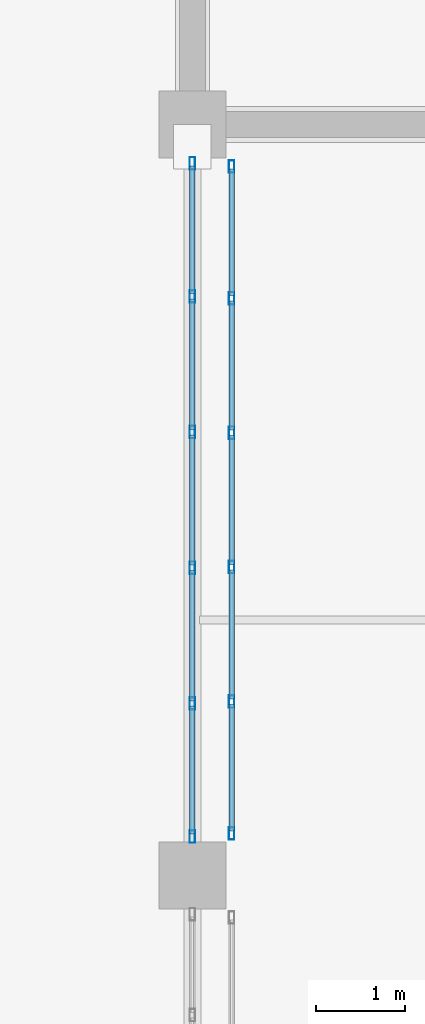
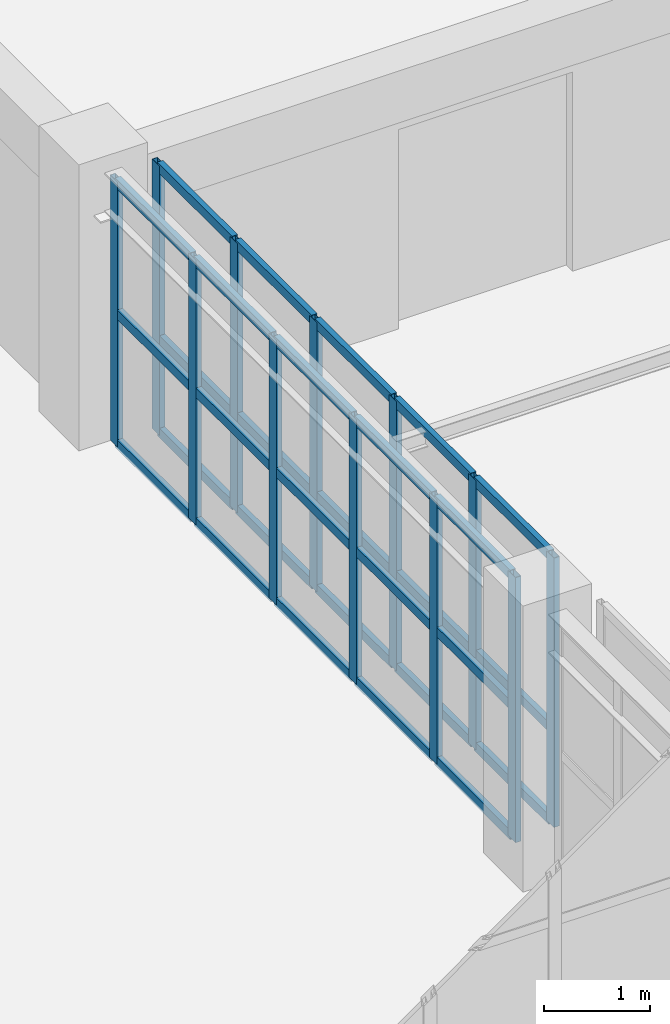
# One storey, part 61 of 200: 42 members, 2 elements without a shape of their own.
"""IFC4 building model written with IfcOpenShell, lengths in metres."""

from ifc_helpers import new_model, si_unit, direction, frame, origin, origin_2d, place, context, subcontext, project, spatial, hollow_rectangle, extrude, material, layer, layer_set, material_profile, profile_set, type_object, element, aggregate, save


model = new_model("IFC4")

# Units and contexts
model_context = context("Model", 3, precision=1e-05, world=origin(), true_north=direction((0.0, 1.0)))
body_context = subcontext(model_context, "Body", "Model", "MODEL_VIEW")
ifc_project = project(units=[si_unit("LENGTHUNIT", "METRE"), si_unit("AREAUNIT", "SQUARE_METRE"), si_unit("VOLUMEUNIT", "CUBIC_METRE"), si_unit("PLANEANGLEUNIT", "RADIAN"), si_unit("MASSUNIT", "GRAM", prefix="KILO")], contexts=[model_context])

# Site, building, storey
site_placement = place(None, origin())
site = spatial("IfcSite", under=ifc_project, at=site_placement, CompositionType="ELEMENT")
building_placement = place(site_placement, origin())
building = spatial("IfcBuilding", under=site, at=building_placement, Name="Trelvath General Hospital", CompositionType="ELEMENT")
storey_placement = place(building_placement, frame((0.0, 0.0, 4.800048828125)))
storey = spatial("IfcBuildingStorey", under=building, at=storey_placement, Name="L01", CompositionType="ELEMENT", Elevation=4.800048828125)

# Curtain wall, members
ifc_material_1 = material(Name="Anodised aluminium and low-E glass", Category="aluminium")
ifc_layer_1 = layer(ifc_material_1, 0.14990234375)
ifc_layer_set_1 = layer_set([ifc_layer_1], Name="Anodised aluminium and low-E glass")
curtain_wall_type_1 = type_object("IfcCurtainWallType", Name="CW CrystalCube 759 306 15", PredefinedType="USERDEFINED", material=ifc_layer_set_1)
curtain_wall_1_placement = place(storey_placement, origin())
curtain_wall_1 = element("IfcCurtainWall", 1, at=curtain_wall_1_placement, inside=storey, type_object=curtain_wall_type_1, Name="Crystal Cube Curtain Wall CUBE-W-T0 E2 L01", ObjectType="Unitised Glazed Curtain Wall", PredefinedType="USERDEFINED")
ifc_material_2 = material(Name="Anodised aluminium", Category="aluminium")
ifc_material_profile_1 = material_profile(ifc_material_2, hollow_rectangle(XDim=0.06005859375, YDim=0.139892578125, WallThickness=0.00390625, at=origin_2d()), Name="RHS60x140x4")
ifc_profile_set_1 = profile_set([ifc_material_profile_1], Name="Anodised aluminium")
member_type_1 = type_object("IfcMemberType", Name="CurtainMullion 60x140", PredefinedType="MULLION", material=ifc_profile_set_1)
member_1_placement = place(storey_placement, frame((75.60009765625, 41.56494140625, 0.0), z_axis=(0.0, 0.0, 1.0), x_axis=(1.0, 0.0, 0.0)))
member_1 = element("IfcMember", 2, at=member_1_placement, type_object=member_type_1, Name="CW-141 mullion 1", PredefinedType="MULLION", context=body_context, shape_type="SweptSolid", body=[
    extrude(hollow_rectangle(XDim=0.06005859375, YDim=0.139892578125, WallThickness=0.00390625, at=origin_2d()), origin(), (0.0, 0.0, 1.0), 3.06005859375),
])
member_2_placement = place(storey_placement, frame((75.60009765625, 40.076904296875, 0.0), z_axis=(0.0, 0.0, 1.0), x_axis=(1.0, 0.0, 0.0)))
member_2 = element("IfcMember", 3, at=member_2_placement, type_object=member_type_1, Name="CW-141 mullion 2", PredefinedType="MULLION", context=body_context, shape_type="SweptSolid", body=[
    extrude(hollow_rectangle(XDim=0.06005859375, YDim=0.139892578125, WallThickness=0.00390625, at=origin_2d()), origin(), (0.0, 0.0, 1.0), 3.06005859375),
])
member_3_placement = place(storey_placement, frame((75.60009765625, 38.55908203125, 0.0), z_axis=(0.0, 0.0, 1.0), x_axis=(1.0, 0.0, 0.0)))
member_3 = element("IfcMember", 4, at=member_3_placement, type_object=member_type_1, Name="CW-141 mullion 3", PredefinedType="MULLION", context=body_context, shape_type="SweptSolid", body=[
    extrude(hollow_rectangle(XDim=0.06005859375, YDim=0.139892578125, WallThickness=0.00390625, at=origin_2d()), origin(), (0.0, 0.0, 1.0), 3.06005859375),
])
member_4_placement = place(storey_placement, frame((75.60009765625, 37.041015625, 0.0), z_axis=(0.0, 0.0, 1.0), x_axis=(1.0, 0.0, 0.0)))
member_4 = element("IfcMember", 5, at=member_4_placement, type_object=member_type_1, Name="CW-141 mullion 4", PredefinedType="MULLION", context=body_context, shape_type="SweptSolid", body=[
    extrude(hollow_rectangle(XDim=0.06005859375, YDim=0.139892578125, WallThickness=0.00390625, at=origin_2d()), origin(), (0.0, 0.0, 1.0), 3.06005859375),
])
member_5_placement = place(storey_placement, frame((75.60009765625, 35.52294921875, 0.0), z_axis=(0.0, 0.0, 1.0), x_axis=(1.0, 0.0, 0.0)))
member_5 = element("IfcMember", 6, at=member_5_placement, type_object=member_type_1, Name="CW-141 mullion 5", PredefinedType="MULLION", context=body_context, shape_type="SweptSolid", body=[
    extrude(hollow_rectangle(XDim=0.06005859375, YDim=0.139892578125, WallThickness=0.00390625, at=origin_2d()), origin(), (0.0, 0.0, 1.0), 3.06005859375),
])
member_6_placement = place(storey_placement, frame((75.60009765625, 34.034912109375, 0.0), z_axis=(0.0, 0.0, 1.0), x_axis=(1.0, 0.0, 0.0)))
member_6 = element("IfcMember", 7, at=member_6_placement, type_object=member_type_1, Name="CW-141 mullion 6", PredefinedType="MULLION", context=body_context, shape_type="SweptSolid", body=[
    extrude(hollow_rectangle(XDim=0.06005859375, YDim=0.139892578125, WallThickness=0.00390625, at=origin_2d()), origin(), (0.0, 0.0, 1.0), 3.06005859375),
])

ifc_material_3 = material(Name="Anodised aluminium and low-E glass", Category="aluminium")
ifc_layer_2 = layer(ifc_material_3, 0.139892578125)
ifc_layer_set_2 = layer_set([ifc_layer_2], Name="Anodised aluminium and low-E glass")
curtain_wall_type_2 = type_object("IfcCurtainWallType", Name="CW Bridge 752 311", PredefinedType="USERDEFINED", material=ifc_layer_set_2)
curtain_wall_2_placement = place(storey_placement, origin())
curtain_wall_2 = element("IfcCurtainWall", 8, at=curtain_wall_2_placement, inside=storey, type_object=curtain_wall_type_2, Name="Glazed Bridge Curtain Wall BRG-S-C W L01", ObjectType="Unitised Glazed Curtain Wall", PredefinedType="USERDEFINED")
member_7_placement = place(storey_placement, frame((76.0400390625, 34.070068359375, 0.0), z_axis=(0.0, 0.0, 1.0), x_axis=(-1.0, 0.0, 0.0)))
member_7 = element("IfcMember", 9, at=member_7_placement, type_object=member_type_1, Name="CW-180 mullion 1", PredefinedType="MULLION", context=body_context, shape_type="SweptSolid", body=[
    extrude(hollow_rectangle(XDim=0.06005859375, YDim=0.139892578125, WallThickness=0.00390625, at=origin_2d()), origin(), (0.0, 0.0, 1.0), 3.10986328125),
])
member_8_placement = place(storey_placement, frame((76.0400390625, 35.5439453125, 0.0), z_axis=(0.0, 0.0, 1.0), x_axis=(-1.0, 0.0, 0.0)))
member_8 = element("IfcMember", 10, at=member_8_placement, type_object=member_type_1, Name="CW-180 mullion 2", PredefinedType="MULLION", context=body_context, shape_type="SweptSolid", body=[
    extrude(hollow_rectangle(XDim=0.06005859375, YDim=0.139892578125, WallThickness=0.00390625, at=origin_2d()), origin(), (0.0, 0.0, 1.0), 3.10986328125),
])
member_9_placement = place(storey_placement, frame((76.0400390625, 37.048095703125, 0.0), z_axis=(0.0, 0.0, 1.0), x_axis=(-1.0, 0.0, 0.0)))
member_9 = element("IfcMember", 11, at=member_9_placement, type_object=member_type_1, Name="CW-180 mullion 3", PredefinedType="MULLION", context=body_context, shape_type="SweptSolid", body=[
    extrude(hollow_rectangle(XDim=0.06005859375, YDim=0.139892578125, WallThickness=0.00390625, at=origin_2d()), origin(), (0.0, 0.0, 1.0), 3.10986328125),
])
member_10_placement = place(storey_placement, frame((76.0400390625, 38.552001953125, 0.0), z_axis=(0.0, 0.0, 1.0), x_axis=(-1.0, 0.0, 0.0)))
member_10 = element("IfcMember", 12, at=member_10_placement, type_object=member_type_1, Name="CW-180 mullion 4", PredefinedType="MULLION", context=body_context, shape_type="SweptSolid", body=[
    extrude(hollow_rectangle(XDim=0.06005859375, YDim=0.139892578125, WallThickness=0.00390625, at=origin_2d()), origin(), (0.0, 0.0, 1.0), 3.10986328125),
])
member_11_placement = place(storey_placement, frame((76.0400390625, 40.055908203125, 0.0), z_axis=(0.0, 0.0, 1.0), x_axis=(-1.0, 0.0, 0.0)))
member_11 = element("IfcMember", 13, at=member_11_placement, type_object=member_type_1, Name="CW-180 mullion 5", PredefinedType="MULLION", context=body_context, shape_type="SweptSolid", body=[
    extrude(hollow_rectangle(XDim=0.06005859375, YDim=0.139892578125, WallThickness=0.00390625, at=origin_2d()), origin(), (0.0, 0.0, 1.0), 3.10986328125),
])
member_12_placement = place(storey_placement, frame((76.0400390625, 41.530029296875, 0.0), z_axis=(0.0, 0.0, 1.0), x_axis=(-1.0, 0.0, 0.0)))
member_12 = element("IfcMember", 14, at=member_12_placement, type_object=member_type_1, Name="CW-180 mullion 6", PredefinedType="MULLION", context=body_context, shape_type="SweptSolid", body=[
    extrude(hollow_rectangle(XDim=0.06005859375, YDim=0.139892578125, WallThickness=0.00390625, at=origin_2d()), origin(), (0.0, 0.0, 1.0), 3.10986328125),
])

# Member
ifc_material_4 = material(Name="Anodised aluminium", Category="aluminium")
ifc_material_profile_2 = material_profile(ifc_material_4, hollow_rectangle(XDim=0.06005859375, YDim=0.110107421875, WallThickness=0.00390625, at=origin_2d()), Name="RHS60x110x4")
ifc_profile_set_2 = profile_set([ifc_material_profile_2], Name="Anodised aluminium")
member_type_2 = type_object("IfcMemberType", Name="CurtainTransom 60x110", PredefinedType="USERDEFINED", material=ifc_profile_set_2)
member_13_placement = place(storey_placement, frame((75.60009765625, 41.534912109375, 0.030029296875), z_axis=(0.0, -1.0, 0.0), x_axis=(1.0, 0.0, 0.0)))
member_13 = element("IfcMember", 15, at=member_13_placement, type_object=member_type_2, Name="CW-141 transom 1.1", ObjectType="TRANSOM", PredefinedType="USERDEFINED", context=body_context, shape_type="SweptSolid", body=[
    extrude(hollow_rectangle(XDim=0.06005859375, YDim=0.110107421875, WallThickness=0.00390625, at=origin_2d()), origin(), (0.0, 0.0, 1.0), 1.427978515625),
])

member_14_placement = place(storey_placement, frame((75.60009765625, 41.534912109375, 1.530029296875), z_axis=(0.0, -1.0, 0.0), x_axis=(1.0, 0.0, 0.0)))
member_14 = element("IfcMember", 16, at=member_14_placement, type_object=member_type_2, Name="CW-141 transom 1.2", ObjectType="TRANSOM", PredefinedType="USERDEFINED", context=body_context, shape_type="SweptSolid", body=[
    extrude(hollow_rectangle(XDim=0.06005859375, YDim=0.110107421875, WallThickness=0.00390625, at=origin_2d()), origin(), (0.0, 0.0, 1.0), 1.427978515625),
])

member_15_placement = place(storey_placement, frame((75.60009765625, 41.534912109375, 3.030029296875), z_axis=(0.0, -1.0, 0.0), x_axis=(1.0, 0.0, 0.0)))
member_15 = element("IfcMember", 17, at=member_15_placement, type_object=member_type_2, Name="CW-141 transom 1.3", ObjectType="TRANSOM", PredefinedType="USERDEFINED", context=body_context, shape_type="SweptSolid", body=[
    extrude(hollow_rectangle(XDim=0.06005859375, YDim=0.110107421875, WallThickness=0.00390625, at=origin_2d()), origin(), (0.0, 0.0, 1.0), 1.427978515625),
])

member_16_placement = place(storey_placement, frame((75.60009765625, 40.047119140625, 0.030029296875), z_axis=(0.0, -1.0, 0.0), x_axis=(1.0, 0.0, 0.0)))
member_16 = element("IfcMember", 18, at=member_16_placement, type_object=member_type_2, Name="CW-141 transom 2.1", ObjectType="TRANSOM", PredefinedType="USERDEFINED", context=body_context, shape_type="SweptSolid", body=[
    extrude(hollow_rectangle(XDim=0.06005859375, YDim=0.110107421875, WallThickness=0.00390625, at=origin_2d()), origin(), (0.0, 0.0, 1.0), 1.4580078125),
])

member_17_placement = place(storey_placement, frame((75.60009765625, 40.047119140625, 1.530029296875), z_axis=(0.0, -1.0, 0.0), x_axis=(1.0, 0.0, 0.0)))
member_17 = element("IfcMember", 19, at=member_17_placement, type_object=member_type_2, Name="CW-141 transom 2.2", ObjectType="TRANSOM", PredefinedType="USERDEFINED", context=body_context, shape_type="SweptSolid", body=[
    extrude(hollow_rectangle(XDim=0.06005859375, YDim=0.110107421875, WallThickness=0.00390625, at=origin_2d()), origin(), (0.0, 0.0, 1.0), 1.4580078125),
])

member_18_placement = place(storey_placement, frame((75.60009765625, 40.047119140625, 3.030029296875), z_axis=(0.0, -1.0, 0.0), x_axis=(1.0, 0.0, 0.0)))
member_18 = element("IfcMember", 20, at=member_18_placement, type_object=member_type_2, Name="CW-141 transom 2.3", ObjectType="TRANSOM", PredefinedType="USERDEFINED", context=body_context, shape_type="SweptSolid", body=[
    extrude(hollow_rectangle(XDim=0.06005859375, YDim=0.110107421875, WallThickness=0.00390625, at=origin_2d()), origin(), (0.0, 0.0, 1.0), 1.4580078125),
])

member_19_placement = place(storey_placement, frame((75.60009765625, 38.529052734375, 0.030029296875), z_axis=(0.0, -1.0, 0.0), x_axis=(1.0, 0.0, 0.0)))
member_19 = element("IfcMember", 21, at=member_19_placement, type_object=member_type_2, Name="CW-141 transom 3.1", ObjectType="TRANSOM", PredefinedType="USERDEFINED", context=body_context, shape_type="SweptSolid", body=[
    extrude(hollow_rectangle(XDim=0.06005859375, YDim=0.110107421875, WallThickness=0.00390625, at=origin_2d()), origin(), (0.0, 0.0, 1.0), 1.4580078125),
])

member_20_placement = place(storey_placement, frame((75.60009765625, 38.529052734375, 1.530029296875), z_axis=(0.0, -1.0, 0.0), x_axis=(1.0, 0.0, 0.0)))
member_20 = element("IfcMember", 22, at=member_20_placement, type_object=member_type_2, Name="CW-141 transom 3.2", ObjectType="TRANSOM", PredefinedType="USERDEFINED", context=body_context, shape_type="SweptSolid", body=[
    extrude(hollow_rectangle(XDim=0.06005859375, YDim=0.110107421875, WallThickness=0.00390625, at=origin_2d()), origin(), (0.0, 0.0, 1.0), 1.4580078125),
])

member_21_placement = place(storey_placement, frame((75.60009765625, 38.529052734375, 3.030029296875), z_axis=(0.0, -1.0, 0.0), x_axis=(1.0, 0.0, 0.0)))
member_21 = element("IfcMember", 23, at=member_21_placement, type_object=member_type_2, Name="CW-141 transom 3.3", ObjectType="TRANSOM", PredefinedType="USERDEFINED", context=body_context, shape_type="SweptSolid", body=[
    extrude(hollow_rectangle(XDim=0.06005859375, YDim=0.110107421875, WallThickness=0.00390625, at=origin_2d()), origin(), (0.0, 0.0, 1.0), 1.4580078125),
])

member_22_placement = place(storey_placement, frame((75.60009765625, 37.010986328125, 0.030029296875), z_axis=(0.0, -1.0, 0.0), x_axis=(1.0, 0.0, 0.0)))
member_22 = element("IfcMember", 24, at=member_22_placement, type_object=member_type_2, Name="CW-141 transom 4.1", ObjectType="TRANSOM", PredefinedType="USERDEFINED", context=body_context, shape_type="SweptSolid", body=[
    extrude(hollow_rectangle(XDim=0.06005859375, YDim=0.110107421875, WallThickness=0.00390625, at=origin_2d()), origin(), (0.0, 0.0, 1.0), 1.4580078125),
])

member_23_placement = place(storey_placement, frame((75.60009765625, 37.010986328125, 1.530029296875), z_axis=(0.0, -1.0, 0.0), x_axis=(1.0, 0.0, 0.0)))
member_23 = element("IfcMember", 25, at=member_23_placement, type_object=member_type_2, Name="CW-141 transom 4.2", ObjectType="TRANSOM", PredefinedType="USERDEFINED", context=body_context, shape_type="SweptSolid", body=[
    extrude(hollow_rectangle(XDim=0.06005859375, YDim=0.110107421875, WallThickness=0.00390625, at=origin_2d()), origin(), (0.0, 0.0, 1.0), 1.4580078125),
])

member_24_placement = place(storey_placement, frame((75.60009765625, 37.010986328125, 3.030029296875), z_axis=(0.0, -1.0, 0.0), x_axis=(1.0, 0.0, 0.0)))
member_24 = element("IfcMember", 26, at=member_24_placement, type_object=member_type_2, Name="CW-141 transom 4.3", ObjectType="TRANSOM", PredefinedType="USERDEFINED", context=body_context, shape_type="SweptSolid", body=[
    extrude(hollow_rectangle(XDim=0.06005859375, YDim=0.110107421875, WallThickness=0.00390625, at=origin_2d()), origin(), (0.0, 0.0, 1.0), 1.4580078125),
])

member_25_placement = place(storey_placement, frame((75.60009765625, 35.492919921875, 0.030029296875), z_axis=(0.0, -1.0, 0.0), x_axis=(1.0, 0.0, 0.0)))
member_25 = element("IfcMember", 27, at=member_25_placement, type_object=member_type_2, Name="CW-141 transom 5.1", ObjectType="TRANSOM", PredefinedType="USERDEFINED", context=body_context, shape_type="SweptSolid", body=[
    extrude(hollow_rectangle(XDim=0.06005859375, YDim=0.110107421875, WallThickness=0.00390625, at=origin_2d()), origin(), (0.0, 0.0, 1.0), 1.427978515625),
])

member_26_placement = place(storey_placement, frame((75.60009765625, 35.492919921875, 1.530029296875), z_axis=(0.0, -1.0, 0.0), x_axis=(1.0, 0.0, 0.0)))
member_26 = element("IfcMember", 28, at=member_26_placement, type_object=member_type_2, Name="CW-141 transom 5.2", ObjectType="TRANSOM", PredefinedType="USERDEFINED", context=body_context, shape_type="SweptSolid", body=[
    extrude(hollow_rectangle(XDim=0.06005859375, YDim=0.110107421875, WallThickness=0.00390625, at=origin_2d()), origin(), (0.0, 0.0, 1.0), 1.427978515625),
])

member_27_placement = place(storey_placement, frame((75.60009765625, 35.492919921875, 3.030029296875), z_axis=(0.0, -1.0, 0.0), x_axis=(1.0, 0.0, 0.0)))
member_27 = element("IfcMember", 29, at=member_27_placement, type_object=member_type_2, Name="CW-141 transom 5.3", ObjectType="TRANSOM", PredefinedType="USERDEFINED", context=body_context, shape_type="SweptSolid", body=[
    extrude(hollow_rectangle(XDim=0.06005859375, YDim=0.110107421875, WallThickness=0.00390625, at=origin_2d()), origin(), (0.0, 0.0, 1.0), 1.427978515625),
])

aggregate(curtain_wall_1, [member_1, member_2, member_3, member_4, member_5, member_6, member_13, member_14, member_15, member_16, member_17, member_18, member_19, member_20, member_21, member_22, member_23, member_24, member_25, member_26, member_27])

member_28_placement = place(storey_placement, frame((76.0400390625, 34.10009765625, 0.030029296875), z_axis=(0.0, 1.0, 0.0), x_axis=(-1.0, 0.0, 0.0)))
member_28 = element("IfcMember", 30, at=member_28_placement, type_object=member_type_2, Name="CW-180 transom 1.1", ObjectType="TRANSOM", PredefinedType="USERDEFINED", context=body_context, shape_type="SweptSolid", body=[
    extrude(hollow_rectangle(XDim=0.06005859375, YDim=0.110107421875, WallThickness=0.00390625, at=origin_2d()), origin(), (0.0, 0.0, 1.0), 1.413818359375),
])

member_29_placement = place(storey_placement, frame((76.0400390625, 34.10009765625, 1.099853515625), z_axis=(0.0, 1.0, 0.0), x_axis=(-1.0, 0.0, 0.0)))
member_29 = element("IfcMember", 31, at=member_29_placement, type_object=member_type_2, Name="CW-180 transom 1.2", ObjectType="TRANSOM", PredefinedType="USERDEFINED", context=body_context, shape_type="SweptSolid", body=[
    extrude(hollow_rectangle(XDim=0.06005859375, YDim=0.110107421875, WallThickness=0.00390625, at=origin_2d()), origin(), (0.0, 0.0, 1.0), 1.413818359375),
])

member_30_placement = place(storey_placement, frame((76.0400390625, 34.10009765625, 3.079833984375), z_axis=(0.0, 1.0, 0.0), x_axis=(-1.0, 0.0, 0.0)))
member_30 = element("IfcMember", 32, at=member_30_placement, type_object=member_type_2, Name="CW-180 transom 1.3", ObjectType="TRANSOM", PredefinedType="USERDEFINED", context=body_context, shape_type="SweptSolid", body=[
    extrude(hollow_rectangle(XDim=0.06005859375, YDim=0.110107421875, WallThickness=0.00390625, at=origin_2d()), origin(), (0.0, 0.0, 1.0), 1.413818359375),
])

member_31_placement = place(storey_placement, frame((76.0400390625, 35.573974609375, 0.030029296875), z_axis=(0.0, 1.0, 0.0), x_axis=(-1.0, 0.0, 0.0)))
member_31 = element("IfcMember", 33, at=member_31_placement, type_object=member_type_2, Name="CW-180 transom 2.1", ObjectType="TRANSOM", PredefinedType="USERDEFINED", context=body_context, shape_type="SweptSolid", body=[
    extrude(hollow_rectangle(XDim=0.06005859375, YDim=0.110107421875, WallThickness=0.00390625, at=origin_2d()), origin(), (0.0, 0.0, 1.0), 1.444091796875),
])

member_32_placement = place(storey_placement, frame((76.0400390625, 35.573974609375, 1.099853515625), z_axis=(0.0, 1.0, 0.0), x_axis=(-1.0, 0.0, 0.0)))
member_32 = element("IfcMember", 34, at=member_32_placement, type_object=member_type_2, Name="CW-180 transom 2.2", ObjectType="TRANSOM", PredefinedType="USERDEFINED", context=body_context, shape_type="SweptSolid", body=[
    extrude(hollow_rectangle(XDim=0.06005859375, YDim=0.110107421875, WallThickness=0.00390625, at=origin_2d()), origin(), (0.0, 0.0, 1.0), 1.444091796875),
])

member_33_placement = place(storey_placement, frame((76.0400390625, 35.573974609375, 3.079833984375), z_axis=(0.0, 1.0, 0.0), x_axis=(-1.0, 0.0, 0.0)))
member_33 = element("IfcMember", 35, at=member_33_placement, type_object=member_type_2, Name="CW-180 transom 2.3", ObjectType="TRANSOM", PredefinedType="USERDEFINED", context=body_context, shape_type="SweptSolid", body=[
    extrude(hollow_rectangle(XDim=0.06005859375, YDim=0.110107421875, WallThickness=0.00390625, at=origin_2d()), origin(), (0.0, 0.0, 1.0), 1.444091796875),
])

member_34_placement = place(storey_placement, frame((76.0400390625, 37.077880859375, 0.030029296875), z_axis=(0.0, 1.0, 0.0), x_axis=(-1.0, 0.0, 0.0)))
member_34 = element("IfcMember", 36, at=member_34_placement, type_object=member_type_2, Name="CW-180 transom 3.1", ObjectType="TRANSOM", PredefinedType="USERDEFINED", context=body_context, shape_type="SweptSolid", body=[
    extrude(hollow_rectangle(XDim=0.06005859375, YDim=0.110107421875, WallThickness=0.00390625, at=origin_2d()), origin(), (0.0, 0.0, 1.0), 1.444091796875),
])

member_35_placement = place(storey_placement, frame((76.0400390625, 37.077880859375, 1.099853515625), z_axis=(0.0, 1.0, 0.0), x_axis=(-1.0, 0.0, 0.0)))
member_35 = element("IfcMember", 37, at=member_35_placement, type_object=member_type_2, Name="CW-180 transom 3.2", ObjectType="TRANSOM", PredefinedType="USERDEFINED", context=body_context, shape_type="SweptSolid", body=[
    extrude(hollow_rectangle(XDim=0.06005859375, YDim=0.110107421875, WallThickness=0.00390625, at=origin_2d()), origin(), (0.0, 0.0, 1.0), 1.444091796875),
])

member_36_placement = place(storey_placement, frame((76.0400390625, 37.077880859375, 3.079833984375), z_axis=(0.0, 1.0, 0.0), x_axis=(-1.0, 0.0, 0.0)))
member_36 = element("IfcMember", 38, at=member_36_placement, type_object=member_type_2, Name="CW-180 transom 3.3", ObjectType="TRANSOM", PredefinedType="USERDEFINED", context=body_context, shape_type="SweptSolid", body=[
    extrude(hollow_rectangle(XDim=0.06005859375, YDim=0.110107421875, WallThickness=0.00390625, at=origin_2d()), origin(), (0.0, 0.0, 1.0), 1.444091796875),
])

member_37_placement = place(storey_placement, frame((76.0400390625, 38.58203125, 0.030029296875), z_axis=(0.0, 1.0, 0.0), x_axis=(-1.0, 0.0, 0.0)))
member_37 = element("IfcMember", 39, at=member_37_placement, type_object=member_type_2, Name="CW-180 transom 4.1", ObjectType="TRANSOM", PredefinedType="USERDEFINED", context=body_context, shape_type="SweptSolid", body=[
    extrude(hollow_rectangle(XDim=0.06005859375, YDim=0.110107421875, WallThickness=0.00390625, at=origin_2d()), origin(), (0.0, 0.0, 1.0), 1.44384765625),
])

member_38_placement = place(storey_placement, frame((76.0400390625, 38.58203125, 1.099853515625), z_axis=(0.0, 1.0, 0.0), x_axis=(-1.0, 0.0, 0.0)))
member_38 = element("IfcMember", 40, at=member_38_placement, type_object=member_type_2, Name="CW-180 transom 4.2", ObjectType="TRANSOM", PredefinedType="USERDEFINED", context=body_context, shape_type="SweptSolid", body=[
    extrude(hollow_rectangle(XDim=0.06005859375, YDim=0.110107421875, WallThickness=0.00390625, at=origin_2d()), origin(), (0.0, 0.0, 1.0), 1.44384765625),
])

member_39_placement = place(storey_placement, frame((76.0400390625, 38.58203125, 3.079833984375), z_axis=(0.0, 1.0, 0.0), x_axis=(-1.0, 0.0, 0.0)))
member_39 = element("IfcMember", 41, at=member_39_placement, type_object=member_type_2, Name="CW-180 transom 4.3", ObjectType="TRANSOM", PredefinedType="USERDEFINED", context=body_context, shape_type="SweptSolid", body=[
    extrude(hollow_rectangle(XDim=0.06005859375, YDim=0.110107421875, WallThickness=0.00390625, at=origin_2d()), origin(), (0.0, 0.0, 1.0), 1.44384765625),
])

member_40_placement = place(storey_placement, frame((76.0400390625, 40.0859375, 0.030029296875), z_axis=(0.0, 1.0, 0.0), x_axis=(-1.0, 0.0, 0.0)))
member_40 = element("IfcMember", 42, at=member_40_placement, type_object=member_type_2, Name="CW-180 transom 5.1", ObjectType="TRANSOM", PredefinedType="USERDEFINED", context=body_context, shape_type="SweptSolid", body=[
    extrude(hollow_rectangle(XDim=0.06005859375, YDim=0.110107421875, WallThickness=0.00390625, at=origin_2d()), origin(), (0.0, 0.0, 1.0), 1.4140625),
])

member_41_placement = place(storey_placement, frame((76.0400390625, 40.0859375, 1.099853515625), z_axis=(0.0, 1.0, 0.0), x_axis=(-1.0, 0.0, 0.0)))
member_41 = element("IfcMember", 43, at=member_41_placement, type_object=member_type_2, Name="CW-180 transom 5.2", ObjectType="TRANSOM", PredefinedType="USERDEFINED", context=body_context, shape_type="SweptSolid", body=[
    extrude(hollow_rectangle(XDim=0.06005859375, YDim=0.110107421875, WallThickness=0.00390625, at=origin_2d()), origin(), (0.0, 0.0, 1.0), 1.4140625),
])

member_42_placement = place(storey_placement, frame((76.0400390625, 40.0859375, 3.079833984375), z_axis=(0.0, 1.0, 0.0), x_axis=(-1.0, 0.0, 0.0)))
member_42 = element("IfcMember", 44, at=member_42_placement, type_object=member_type_2, Name="CW-180 transom 5.3", ObjectType="TRANSOM", PredefinedType="USERDEFINED", context=body_context, shape_type="SweptSolid", body=[
    extrude(hollow_rectangle(XDim=0.06005859375, YDim=0.110107421875, WallThickness=0.00390625, at=origin_2d()), origin(), (0.0, 0.0, 1.0), 1.4140625),
])

aggregate(curtain_wall_2, [member_7, member_8, member_9, member_10, member_11, member_12, member_28, member_29, member_30, member_31, member_32, member_33, member_34, member_35, member_36, member_37, member_38, member_39, member_40, member_41, member_42])

save(model, "model.ifc")
